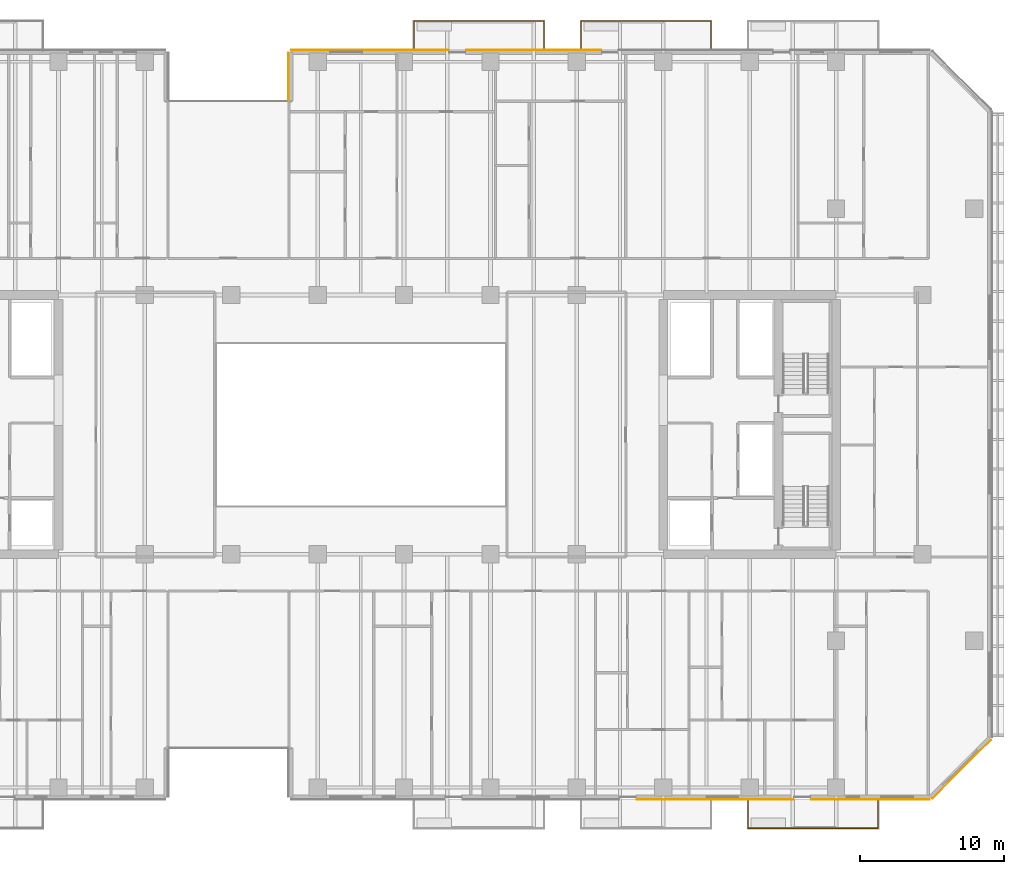
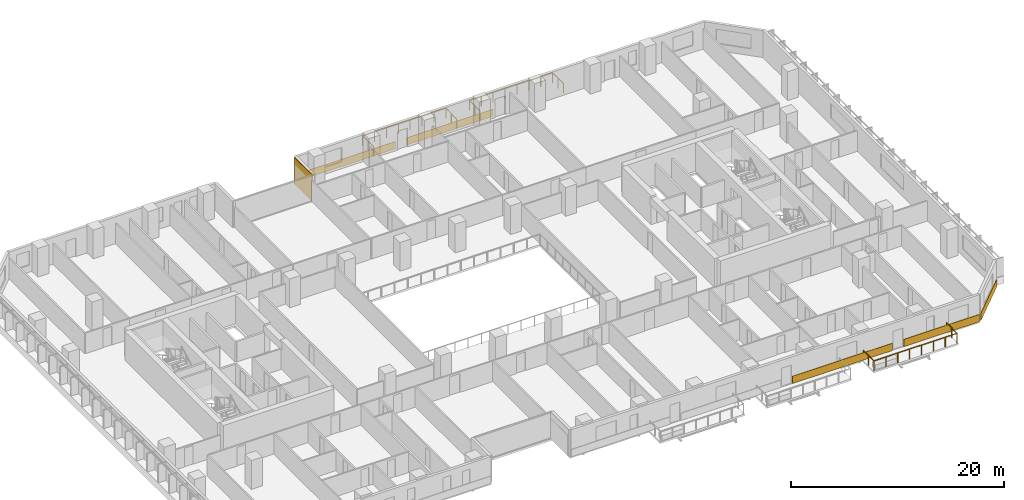
# One storey, part 23 of 26: 6 coverings, 3 railings.
"""IFC4 building model written with IfcOpenShell, lengths in metres."""

from ifc_helpers import new_model, si_unit, direction, frame, origin, origin_2d, place, context, subcontext, project, spatial, rectangle, extrude, material, layer, layer_set, type_object, element, save


model = new_model("IFC4")

# Units and contexts
model_context = context("Model", 3, precision=1e-05, world=origin(), true_north=direction((0.0, 1.0)))
body_context = subcontext(model_context, "Body", "Model", "MODEL_VIEW")
ifc_project = project(units=[si_unit("LENGTHUNIT", "METRE"), si_unit("AREAUNIT", "SQUARE_METRE"), si_unit("VOLUMEUNIT", "CUBIC_METRE"), si_unit("PLANEANGLEUNIT", "RADIAN"), si_unit("MASSUNIT", "GRAM", prefix="KILO")], contexts=[model_context])

# Site, building, storey
site_placement = place(None, origin())
site = spatial("IfcSite", under=ifc_project, at=site_placement, CompositionType="ELEMENT")
building_placement = place(site_placement, origin())
building = spatial("IfcBuilding", under=site, at=building_placement, Name="Tanjung Sevakor Pilgrim Tower", CompositionType="ELEMENT")
storey_placement = place(building_placement, frame((0.0, 0.0, 48.840087890625)))
storey = spatial("IfcBuildingStorey", under=building, at=storey_placement, Name="L13", CompositionType="ELEMENT", Elevation=48.840087890625)

# Coverings
ifc_material_1 = material(Name="Reconstructed Limestone Cladding", Category="masonry")
ifc_layer = layer(ifc_material_1, 0.044921875)
ifc_layer_set = layer_set([ifc_layer], Name="COV-CLAD-LIMESTONE")
covering_type = type_object("IfcCoveringType", Name="COV-CLAD-LIMESTONE", PredefinedType="CLADDING", material=ifc_layer_set)
covering_1_placement = place(storey_placement, frame((81.60009765625, 7.577392578125, 0.009765625), z_axis=(0.0, 0.0, 1.0), x_axis=(1.0, 0.0, 0.0)))
element("IfcCovering", 1, at=covering_1_placement, inside=storey, type_object=covering_type, Name="L13 Warm Limestone Sill Spandrel EW-L13-MAIN-5-3", PredefinedType="CLADDING", context=body_context, shape_type="SweptSolid", body=[
    extrude(rectangle(XDim=10.8798828125, YDim=0.044921875, at=origin_2d()), origin(), (0.0, 0.0, 1.0), 0.840087890625),
])
covering_2_placement = place(storey_placement, frame((92.381103515625, 7.577392578125, 0.009765625), z_axis=(0.0, 0.0, 1.0), x_axis=(1.0, 0.0, 0.0)))
element("IfcCovering", 2, at=covering_2_placement, inside=storey, type_object=covering_type, Name="L13 Warm Limestone Sill Spandrel EW-L13-MAIN-5-4", PredefinedType="CLADDING", context=body_context, shape_type="SweptSolid", body=[
    extrude(rectangle(XDim=8.241943359375, YDim=0.044921875, at=origin_2d()), origin(), (0.0, 0.0, 1.0), 0.840087890625),
])
covering_3_placement = place(storey_placement, frame((98.7158203125, 9.68408203125, 0.009765625), z_axis=(0.0, 0.0, 1.0), x_axis=(0.707106781187, 0.707106781187, 0.0)))
element("IfcCovering", 3, at=covering_3_placement, inside=storey, type_object=covering_type, Name="L13 Warm Limestone Sill Spandrel EW-CHM-L13-MAIN-5-1", PredefinedType="CLADDING", context=body_context, shape_type="SweptSolid", body=[
    extrude(rectangle(XDim=5.74365234375, YDim=0.044921875, at=origin_2d()), origin(), (0.0, 0.0, 1.0), 0.840087890625),
])
covering_4_placement = place(storey_placement, frame((69.0, 59.62255859375, 0.009765625), z_axis=(0.0, 0.0, 1.0), x_axis=(-1.0, 0.0, 0.0)))
element("IfcCovering", 4, at=covering_4_placement, inside=storey, type_object=covering_type, Name="L13 Warm Limestone Sill Spandrel EW-L13-MAIN-9-3", PredefinedType="CLADDING", context=body_context, shape_type="SweptSolid", body=[
    extrude(rectangle(XDim=9.3798828125, YDim=0.044921875, at=origin_2d()), origin(), (0.0, 0.0, 1.0), 0.840087890625),
])
covering_5_placement = place(storey_placement, frame((57.635009765625, 59.62255859375, 0.009765625), z_axis=(0.0, 0.0, 1.0), x_axis=(-1.0, 0.0, 0.0)))
element("IfcCovering", 5, at=covering_5_placement, inside=storey, type_object=covering_type, Name="L13 Warm Limestone Sill Spandrel EW-L13-MAIN-9-4", PredefinedType="CLADDING", context=body_context, shape_type="SweptSolid", body=[
    extrude(rectangle(XDim=10.909912109375, YDim=0.044921875, at=origin_2d()), origin(), (0.0, 0.0, 1.0), 0.840087890625),
])
covering_6_placement = place(storey_placement, frame((51.9775390625, 57.760009765625, 0.019775390625), z_axis=(0.0, 0.0, 1.0), x_axis=(0.0, -1.0, 0.0)))
element("IfcCovering", 6, at=covering_6_placement, inside=storey, type_object=covering_type, Name="L13 Warm Limestone Wall Cladding EW-L13-MAIN-10", PredefinedType="CLADDING", context=body_context, shape_type="SweptSolid", body=[
    extrude(rectangle(XDim=3.360107421875, YDim=0.044921875, at=origin_2d()), origin(), (0.0, 0.0, 1.0), 3.0400390625),
])

# Railings
ifc_material_2 = material(Name="Laminated Glass and Aluminium", Category="aluminium")
railing_type = type_object("IfcRailingType", Name="RL-BAL-BALUST", PredefinedType="BALUSTRADE", material=ifc_material_2)
railing_1_placement = place(storey_placement, frame((60.679931640625, 59.60009765625, 0.0)))
element("IfcRailing", 7, at=railing_1_placement, inside=storey, type_object=railing_type, Name="L13 Loggia Balustrade MAIN-N2", PredefinedType="BALUSTRADE", context=body_context, shape_type="SweptSolid", body=[
    extrude(rectangle(XDim=0.0479, YDim=0.0479), frame((0.0, 0.0, 1.1259765625), z_axis=(0.0, 1.0, 0.0), x_axis=(-1.0, 0.0, 0.0)), (0.0, 0.0, 1.0), 2.02001953125),
    extrude(rectangle(XDim=0.0479, YDim=0.0479), frame((0.0, 2.02001953125, 1.1259765625), z_axis=(1.0, 0.0, 0.0), x_axis=(0.0, 1.0, 0.0)), (0.0, 0.0, 1.0), 9.0400390625),
    extrude(rectangle(XDim=0.0479, YDim=0.0479), frame((9.0400390625, 2.02001953125, 1.1259765625), z_axis=(0.0, -1.0, 0.0), x_axis=(1.0, 0.0, 0.0)), (0.0, 0.0, 1.0), 2.02001953125),
    extrude(rectangle(XDim=0.042, YDim=0.042), origin(), (0.0, 0.0, 1.0), 1.101806640625),
    extrude(rectangle(XDim=0.042, YDim=0.042), frame((0.0, 1.010009765625, 0.0)), (0.0, 0.0, 1.0), 1.101806640625),
    extrude(rectangle(XDim=0.042, YDim=0.042), frame((0.0, 2.02001953125, 0.0)), (0.0, 0.0, 1.0), 1.101806640625),
    extrude(rectangle(XDim=0.042, YDim=0.042), frame((1.29150390625, 2.02001953125, 0.0)), (0.0, 0.0, 1.0), 1.101806640625),
    extrude(rectangle(XDim=0.042, YDim=0.042), frame((2.582763671875, 2.02001953125, 0.0)), (0.0, 0.0, 1.0), 1.101806640625),
    extrude(rectangle(XDim=0.042, YDim=0.042), frame((3.874267578125, 2.02001953125, 0.0)), (0.0, 0.0, 1.0), 1.101806640625),
    extrude(rectangle(XDim=0.042, YDim=0.042), frame((5.165771484375, 2.02001953125, 0.0)), (0.0, 0.0, 1.0), 1.101806640625),
    extrude(rectangle(XDim=0.042, YDim=0.042), frame((6.457275390625, 2.02001953125, 0.0)), (0.0, 0.0, 1.0), 1.101806640625),
    extrude(rectangle(XDim=0.042, YDim=0.042), frame((7.74853515625, 2.02001953125, 0.0)), (0.0, 0.0, 1.0), 1.101806640625),
    extrude(rectangle(XDim=0.042, YDim=0.042), frame((9.0400390625, 2.02001953125, 0.0)), (0.0, 0.0, 1.0), 1.101806640625),
    extrude(rectangle(XDim=0.042, YDim=0.042), frame((9.0400390625, 1.010009765625, 0.0)), (0.0, 0.0, 1.0), 1.101806640625),
    extrude(rectangle(XDim=0.042, YDim=0.042), frame((9.0400390625, 0.0, 0.0)), (0.0, 0.0, 1.0), 1.101806640625),
])
railing_2_placement = place(storey_placement, frame((72.280029296875, 59.60009765625, 0.0)))
element("IfcRailing", 8, at=railing_2_placement, inside=storey, type_object=railing_type, Name="L13 Loggia Balustrade MAIN-N3", PredefinedType="BALUSTRADE", context=body_context, shape_type="SweptSolid", body=[
    extrude(rectangle(XDim=0.0479, YDim=0.0479), frame((0.0, 0.0, 1.1259765625), z_axis=(0.0, 1.0, 0.0), x_axis=(-1.0, 0.0, 0.0)), (0.0, 0.0, 1.0), 2.02001953125),
    extrude(rectangle(XDim=0.0479, YDim=0.0479), frame((0.0, 2.02001953125, 1.1259765625), z_axis=(1.0, 0.0, 0.0), x_axis=(0.0, 1.0, 0.0)), (0.0, 0.0, 1.0), 9.0400390625),
    extrude(rectangle(XDim=0.0479, YDim=0.0479), frame((9.0400390625, 2.02001953125, 1.1259765625), z_axis=(0.0, -1.0, 0.0), x_axis=(1.0, 0.0, 0.0)), (0.0, 0.0, 1.0), 2.02001953125),
    extrude(rectangle(XDim=0.042, YDim=0.042), origin(), (0.0, 0.0, 1.0), 1.101806640625),
    extrude(rectangle(XDim=0.042, YDim=0.042), frame((0.0, 1.010009765625, 0.0)), (0.0, 0.0, 1.0), 1.101806640625),
    extrude(rectangle(XDim=0.042, YDim=0.042), frame((0.0, 2.02001953125, 0.0)), (0.0, 0.0, 1.0), 1.101806640625),
    extrude(rectangle(XDim=0.042, YDim=0.042), frame((1.29150390625, 2.02001953125, 0.0)), (0.0, 0.0, 1.0), 1.101806640625),
    extrude(rectangle(XDim=0.042, YDim=0.042), frame((2.582763671875, 2.02001953125, 0.0)), (0.0, 0.0, 1.0), 1.101806640625),
    extrude(rectangle(XDim=0.042, YDim=0.042), frame((3.874267578125, 2.02001953125, 0.0)), (0.0, 0.0, 1.0), 1.101806640625),
    extrude(rectangle(XDim=0.042, YDim=0.042), frame((5.165771484375, 2.02001953125, 0.0)), (0.0, 0.0, 1.0), 1.101806640625),
    extrude(rectangle(XDim=0.042, YDim=0.042), frame((6.457275390625, 2.02001953125, 0.0)), (0.0, 0.0, 1.0), 1.101806640625),
    extrude(rectangle(XDim=0.042, YDim=0.042), frame((7.74853515625, 2.02001953125, 0.0)), (0.0, 0.0, 1.0), 1.101806640625),
    extrude(rectangle(XDim=0.042, YDim=0.042), frame((9.0400390625, 2.02001953125, 0.0)), (0.0, 0.0, 1.0), 1.101806640625),
    extrude(rectangle(XDim=0.042, YDim=0.042), frame((9.0400390625, 1.010009765625, 0.0)), (0.0, 0.0, 1.0), 1.101806640625),
    extrude(rectangle(XDim=0.042, YDim=0.042), frame((9.0400390625, 0.0, 0.0)), (0.0, 0.0, 1.0), 1.101806640625),
])
railing_3_placement = place(storey_placement, frame((83.8798828125, 7.60009765625, 0.0)))
element("IfcRailing", 9, at=railing_3_placement, inside=storey, type_object=railing_type, Name="L13 Loggia Balustrade MAIN-S4", PredefinedType="BALUSTRADE", context=body_context, shape_type="SweptSolid", body=[
    extrude(rectangle(XDim=0.0479, YDim=0.0479), frame((0.0, 0.0, 1.1259765625), z_axis=(0.0, -1.0, 0.0), x_axis=(1.0, 0.0, 0.0)), (0.0, 0.0, 1.0), 2.02001953125),
    extrude(rectangle(XDim=0.0479, YDim=0.0479), frame((0.0, -2.02001953125, 1.1259765625), z_axis=(1.0, 0.0, 0.0), x_axis=(0.0, 1.0, 0.0)), (0.0, 0.0, 1.0), 9.0400390625),
    extrude(rectangle(XDim=0.0479, YDim=0.0479), frame((9.0400390625, -2.02001953125, 1.1259765625), z_axis=(0.0, 1.0, 0.0), x_axis=(-1.0, 0.0, 0.0)), (0.0, 0.0, 1.0), 2.02001953125),
    extrude(rectangle(XDim=0.042, YDim=0.042), origin(), (0.0, 0.0, 1.0), 1.101806640625),
    extrude(rectangle(XDim=0.042, YDim=0.042), frame((0.0, -1.010009765625, 0.0)), (0.0, 0.0, 1.0), 1.101806640625),
    extrude(rectangle(XDim=0.042, YDim=0.042), frame((0.0, -2.02001953125, 0.0)), (0.0, 0.0, 1.0), 1.101806640625),
    extrude(rectangle(XDim=0.042, YDim=0.042), frame((1.29150390625, -2.02001953125, 0.0)), (0.0, 0.0, 1.0), 1.101806640625),
    extrude(rectangle(XDim=0.042, YDim=0.042), frame((2.582763671875, -2.02001953125, 0.0)), (0.0, 0.0, 1.0), 1.101806640625),
    extrude(rectangle(XDim=0.042, YDim=0.042), frame((3.874267578125, -2.02001953125, 0.0)), (0.0, 0.0, 1.0), 1.101806640625),
    extrude(rectangle(XDim=0.042, YDim=0.042), frame((5.165771484375, -2.02001953125, 0.0)), (0.0, 0.0, 1.0), 1.101806640625),
    extrude(rectangle(XDim=0.042, YDim=0.042), frame((6.457275390625, -2.02001953125, 0.0)), (0.0, 0.0, 1.0), 1.101806640625),
    extrude(rectangle(XDim=0.042, YDim=0.042), frame((7.74853515625, -2.02001953125, 0.0)), (0.0, 0.0, 1.0), 1.101806640625),
    extrude(rectangle(XDim=0.042, YDim=0.042), frame((9.0400390625, -2.02001953125, 0.0)), (0.0, 0.0, 1.0), 1.101806640625),
    extrude(rectangle(XDim=0.042, YDim=0.042), frame((9.0400390625, -1.010009765625, 0.0)), (0.0, 0.0, 1.0), 1.101806640625),
    extrude(rectangle(XDim=0.042, YDim=0.042), frame((9.0400390625, 0.0, 0.0)), (0.0, 0.0, 1.0), 1.101806640625),
])

save(model, "model.ifc")
